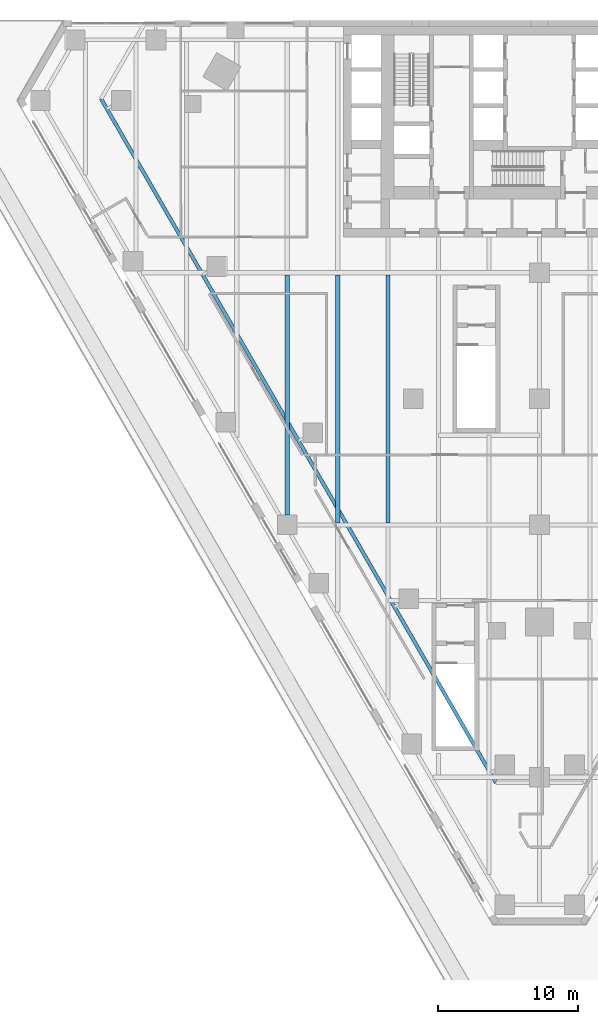
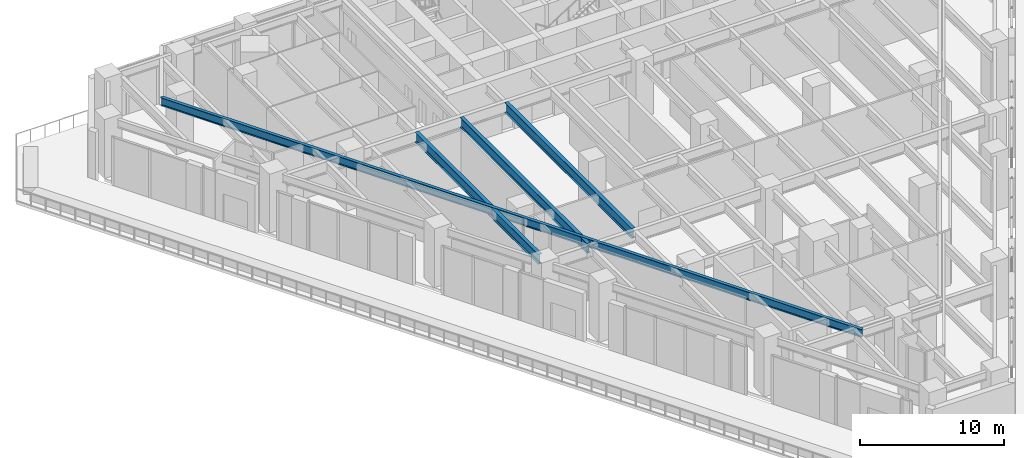
# One storey, part 5 of 31: 4 beams.
"""IFC4 building model written with IfcOpenShell, lengths in metres."""

from ifc_helpers import new_model, si_unit, direction, frame, origin, origin_2d, place, context, subcontext, project, spatial, i_section, extrude, material, material_profile, profile_set, type_object, element, save


model = new_model("IFC4")

# Units and contexts
model_context = context("Model", 3, precision=1e-05, world=origin(), true_north=direction((0.0, 1.0)))
body_context = subcontext(model_context, "Body", "Model", "MODEL_VIEW")
ifc_project = project(units=[si_unit("LENGTHUNIT", "METRE"), si_unit("AREAUNIT", "SQUARE_METRE"), si_unit("VOLUMEUNIT", "CUBIC_METRE"), si_unit("PLANEANGLEUNIT", "RADIAN"), si_unit("MASSUNIT", "GRAM", prefix="KILO")], contexts=[model_context])

# Site, building, storey
site_placement = place(None, origin())
site = spatial("IfcSite", under=ifc_project, at=site_placement, CompositionType="ELEMENT")
building_placement = place(site_placement, origin())
building = spatial("IfcBuilding", under=site, at=building_placement, Name="Aloe Facet Convention Tower", CompositionType="ELEMENT")
storey_placement = place(building_placement, frame((0.0, 0.0, 25.0)))
storey = spatial("IfcBuildingStorey", under=building, at=storey_placement, Name="L04", CompositionType="ELEMENT", Elevation=25.0)

# Beams
ifc_material_1 = material(Name="Steel S355", Category="steel")
ifc_material_profile_1 = material_profile(ifc_material_1, i_section(OverallWidth=0.25439453125, OverallDepth=0.6875, WebThickness=0.01318359375, FlangeThickness=0.02099609375, FilletRadius=0.01513671875, at=origin_2d()), Name="UB 686x254x152")
ifc_profile_set_1 = profile_set([ifc_material_profile_1], Name="Steel S355")
beam_type_1 = type_object("IfcBeamType", Name="EV-EB-UB686x254x152", PredefinedType="BEAM", material=ifc_profile_set_1)
beam_1_placement = place(storey_placement, frame((48.721435546875, 129.396728515625, 4.356201171875), z_axis=(0.500001746973, -0.866024395167, 0.0), x_axis=(0.866024395167, 0.500001746973, 0.0)))
element("IfcBeam", 1, at=beam_1_placement, inside=storey, type_object=beam_type_1, Name="EB-L05-W", PredefinedType="BEAM", context=body_context, shape_type="SweptSolid", body=[
    extrude(i_section(OverallWidth=0.25439453125, OverallDepth=0.6875, WebThickness=0.01318359375, FlangeThickness=0.02099609375, FilletRadius=0.01513671875, at=origin_2d()), origin(), (0.0, 0.0, 1.0), 56.346923828125),
])
ifc_material_2 = material(Name="Steel S355", Category="steel")
ifc_material_profile_2 = material_profile(ifc_material_2, i_section(OverallWidth=0.293701171875, OverallDepth=0.850830078125, WebThickness=0.01611328125, FlangeThickness=0.02685546875, FilletRadius=0.017822265625, at=origin_2d()), Name="UB 838x292x226")
ifc_profile_set_2 = profile_set([ifc_material_profile_2], Name="Steel S355")
beam_type_2 = type_object("IfcBeamType", Name="SF-B-UB838x292x226", PredefinedType="BEAM", material=ifc_profile_set_2)
beam_2_placement = place(storey_placement, frame((62.0, 99.699951171875, 4.2744140625), z_axis=(0.0, 1.0, 0.0), x_axis=(-1.0, 0.0, 0.0)))
element("IfcBeam", 2, at=beam_2_placement, inside=storey, type_object=beam_type_2, Name="Floor beam FB-L05-035", PredefinedType="BEAM", context=body_context, shape_type="SweptSolid", body=[
    extrude(i_section(OverallWidth=0.293701171875, OverallDepth=0.850830078125, WebThickness=0.01611328125, FlangeThickness=0.02685546875, FilletRadius=0.017822265625, at=origin_2d()), origin(), (0.0, 0.0, 1.0), 17.1474609375),
])
for number, where, z_axis, x_axis, name in (
    (3, (65.60009765625, 99.152587890625, 4.2744140625), (0.0, 1.0, 0.0), (-1.0, 0.0, 0.0), "Floor beam FB-L05-038"),
    (4, (69.199951171875, 99.152587890625, 4.2744140625), (0.0, 1.0, 0.0), (-1.0, 0.0, 0.0), "Floor beam FB-L05-042"),
):
    element("IfcBeam", number, at=place(storey_placement, frame(where, z_axis=z_axis, x_axis=x_axis)), inside=storey, type_object=beam_type_2, Name=name, PredefinedType="BEAM", context=body_context, shape_type="SweptSolid", body=[
        extrude(i_section(OverallWidth=0.293701171875, OverallDepth=0.850830078125, WebThickness=0.01611328125, FlangeThickness=0.02685546875, FilletRadius=0.017822265625, at=origin_2d()), origin(), (0.0, 0.0, 1.0), 17.69482421875),
    ])

save(model, "model.ifc")
